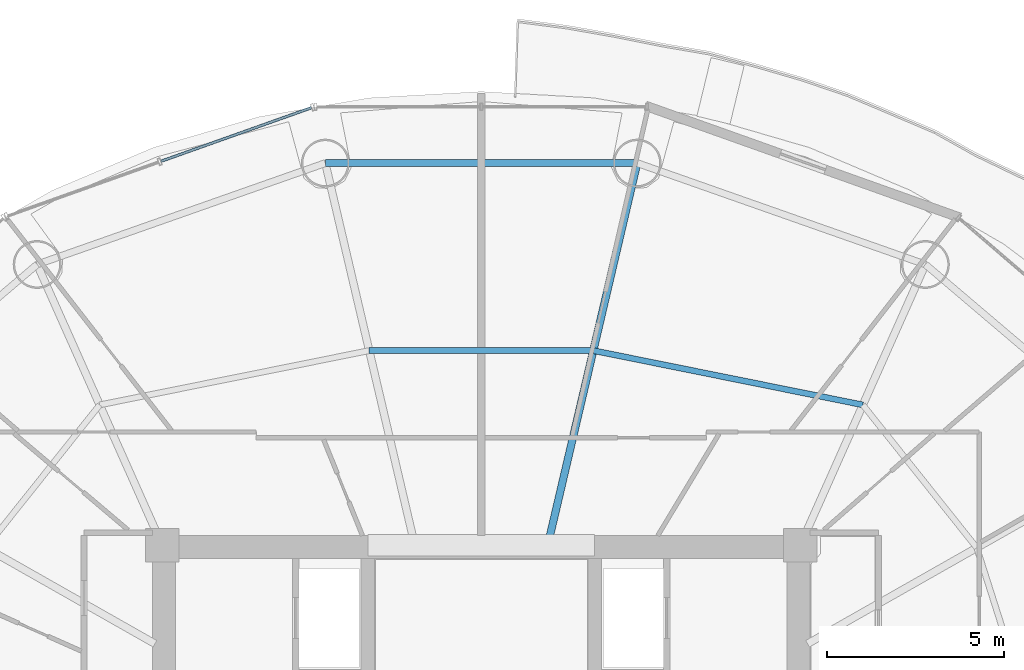
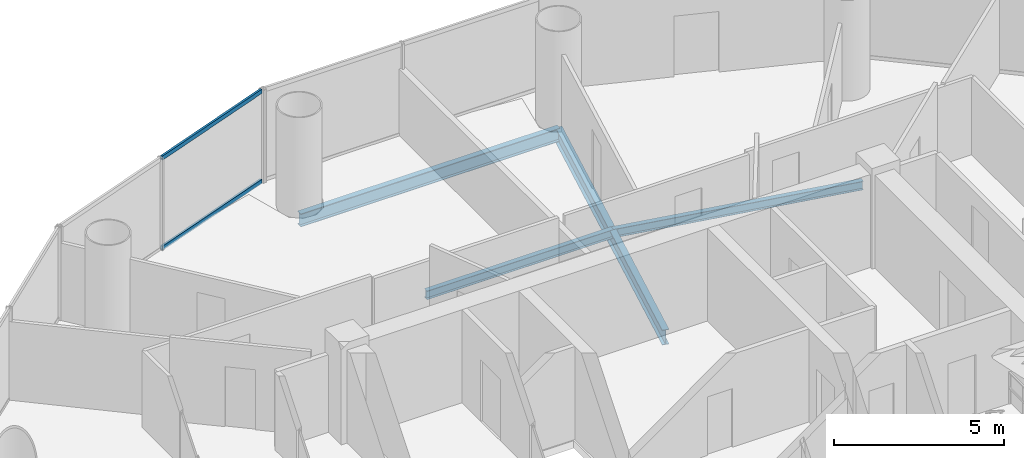
# One storey, part 16 of 27: 4 beams, 2 members, 1 element without a shape of its own.
"""IFC4 building model written with IfcOpenShell, lengths in metres."""

from ifc_helpers import new_model, si_unit, direction, frame, origin, origin_2d, place, context, subcontext, project, spatial, hollow_rectangle, i_section, extrude, source, transform, mapped, material, material_profile, profile_set, type_object, element, aggregate, save


model = new_model("IFC4")

# Units and contexts
model_context = context("Model", 3, precision=1e-05, world=origin(), true_north=direction((-0.2419218956, 0.970295726276)))
body_context = subcontext(model_context, "Body", "Model", "MODEL_VIEW")
ifc_project = project(units=[si_unit("LENGTHUNIT", "METRE"), si_unit("AREAUNIT", "SQUARE_METRE"), si_unit("VOLUMEUNIT", "CUBIC_METRE"), si_unit("PLANEANGLEUNIT", "RADIAN"), si_unit("MASSUNIT", "GRAM", prefix="KILO")], contexts=[model_context])

# Site, building, storey
site_placement = place(None, origin())
site = spatial("IfcSite", under=ifc_project, at=site_placement, CompositionType="ELEMENT")
building_placement = place(site_placement, origin())
building = spatial("IfcBuilding", under=site, at=building_placement, Name="Cobrevalo Terracotta Tower", CompositionType="ELEMENT")
storey_placement = place(building_placement, frame((0.0, 0.0, 157.0)))
storey = spatial("IfcBuildingStorey", under=building, at=storey_placement, Name="L41", CompositionType="ELEMENT", Elevation=157.0)

# Beams
ifc_material_1 = material(Name="Steel S355", Category="steel")
ifc_material_profile_1 = material_profile(ifc_material_1, i_section(OverallWidth=0.2109375, OverallDepth=0.5390625, WebThickness=0.01171875, FlangeThickness=0.018798828125, at=origin_2d()), Name="W 530x109")
ifc_profile_set_1 = profile_set([ifc_material_profile_1], Name="Steel S355")
beam_type_1 = type_object("IfcBeamType", Name="Structural Beam W 530x109 (Steel S355)", PredefinedType="BEAM", material=ifc_profile_set_1)
beam_1_placement = place(storey_placement, frame((42.399169921875, 45.58203125, -0.53955078125), z_axis=(-0.228040864186, -0.973651562039, 0.0), x_axis=(0.973651562039, -0.228040864186, 0.0)))
element("IfcBeam", 1, at=beam_1_placement, inside=storey, type_object=beam_type_1, Name="L41 radial floor girder 04", PredefinedType="BEAM", context=body_context, shape_type="SweptSolid", body=[
    extrude(i_section(OverallWidth=0.2109375, OverallDepth=0.5390625, WebThickness=0.01171875, FlangeThickness=0.018798828125, at=origin_2d()), origin(), (0.0, 0.0, 1.0), 10.86328125),
])
ifc_material_profile_2 = material_profile(ifc_material_1, i_section(OverallWidth=0.1650390625, OverallDepth=0.31005859375, WebThickness=0.005859375, FlangeThickness=0.009765625, at=origin_2d()), Name="W 310x38.7")
ifc_profile_set_2 = profile_set([ifc_material_profile_2], Name="Steel S355")
beam_type_2 = type_object("IfcBeamType", Name="Structural Joist W 310x38.7 (Steel S355)", PredefinedType="JOIST", material=ifc_profile_set_2)
beam_2_placement = place(storey_placement, frame((48.76416015625, 38.76123046875, -0.425048828125), z_axis=(-0.980293928329, 0.197544461026, 0.0), x_axis=(-0.197544461026, -0.980293928329, 0.0)))
element("IfcBeam", 2, at=beam_2_placement, inside=storey, type_object=beam_type_2, Name="L41 circumferential secondary floor joist 03", PredefinedType="JOIST", context=body_context, shape_type="SweptSolid", body=[
    extrude(i_section(OverallWidth=0.1650390625, OverallDepth=0.31005859375, WebThickness=0.005859375, FlangeThickness=0.009765625, at=origin_2d()), origin(), (0.0, 0.0, 1.0), 7.75634765625),
])
beam_3_placement = place(storey_placement, frame((41.16064453125, 40.29345703125, -0.425048828125), z_axis=(-1.0, 0.0, 0.0), x_axis=(0.0, -1.0, 0.0)))
element("IfcBeam", 3, at=beam_3_placement, inside=storey, type_object=beam_type_2, Name="L41 circumferential secondary floor joist 04", PredefinedType="JOIST", context=body_context, shape_type="SweptSolid", body=[
    extrude(i_section(OverallWidth=0.1650390625, OverallDepth=0.31005859375, WebThickness=0.005859375, FlangeThickness=0.009765625, at=origin_2d()), origin(), (0.0, 0.0, 1.0), 6.3212890625),
])
ifc_material_profile_3 = material_profile(ifc_material_1, i_section(OverallWidth=0.194091796875, OverallDepth=0.468994140625, WebThickness=0.011474609375, FlangeThickness=0.0205078125, at=origin_2d()), Name="W 460x106")
ifc_profile_set_3 = profile_set([ifc_material_profile_3], Name="Steel S355")
beam_type_3 = type_object("IfcBeamType", Name="Structural Spandrel W 460x106 (Steel S355)", PredefinedType="SPANDREL", material=ifc_profile_set_3)
beam_4_placement = place(storey_placement, frame((42.399169921875, 45.58203125, -0.50439453125), z_axis=(-1.0, 0.0, 0.0), x_axis=(0.0, -1.0, 0.0)))
element("IfcBeam", 4, at=beam_4_placement, inside=storey, type_object=beam_type_3, Name="L41 perimeter ring spandrel 04", PredefinedType="SPANDREL", context=body_context, shape_type="SweptSolid", body=[
    extrude(i_section(OverallWidth=0.194091796875, OverallDepth=0.468994140625, WebThickness=0.011474609375, FlangeThickness=0.0205078125, at=origin_2d()), origin(), (0.0, 0.0, 1.0), 8.79833984375),
])

# Curtain wall, members
ifc_material_2 = material(Name="Anodized aluminium", Category="aluminium")
curtain_wall_type = type_object("IfcCurtainWallType", Name="Mid-tower high-wind unitised curtain wall CW-U2", PredefinedType="NOTDEFINED", material=ifc_material_2)
curtain_wall_placement = place(storey_placement, origin())
curtain_wall = element("IfcCurtainWall", 5, at=curtain_wall_placement, inside=storey, type_object=curtain_wall_type, Name="L41 curtain wall CW-L41-S05", PredefinedType="NOTDEFINED")
ifc_material_profile_4 = material_profile(ifc_material_2, hollow_rectangle(XDim=0.074951171875, YDim=0.14990234375, WallThickness=0.00439453125, at=origin_2d()), Name="CWT 75x150")
ifc_profile_set_4 = profile_set([ifc_material_profile_4], Name="Anodized aluminium")
member_type = type_object("IfcMemberType", Name="Tower unitised aluminium transom 75x150", PredefinedType="USERDEFINED", material=ifc_profile_set_4)
shared_shape = source(origin(), body_context, "Body", "SweptSolid", [
    extrude(hollow_rectangle(XDim=0.074951171875, YDim=0.14990234375, WallThickness=0.00439453125, at=origin_2d()), origin(), (0.0, 0.0, 1.0), 4.50390625),
])
member_1_placement = place(storey_placement, frame((33.209228515625, 47.14404296875, 0.050048828125), z_axis=(-0.94210437316, -0.335319772863, 0.0), x_axis=(0.335319772863, -0.94210437316, 0.0)))
member_1 = element("IfcMember", 6, at=member_1_placement, type_object=member_type, Name="CW-L41-S05 transom B01-T1", ObjectType="TRANSOM", PredefinedType="USERDEFINED", context=body_context, shape_type="MappedRepresentation", body=[
    mapped(shared_shape, transform((0.0, 0.0, 0.0), scale=1.0)),
])
member_2_placement = place(storey_placement, frame((33.209228515625, 47.14404296875, 3.280029296875), z_axis=(-0.94210437316, -0.335319772863, 0.0), x_axis=(0.335319772863, -0.94210437316, 0.0)))
member_2 = element("IfcMember", 7, at=member_2_placement, type_object=member_type, Name="CW-L41-S05 transom B01-T2", ObjectType="TRANSOM", PredefinedType="USERDEFINED", context=body_context, shape_type="MappedRepresentation", body=[
    mapped(shared_shape, transform((0.0, 0.0, 0.0), scale=1.0)),
])
aggregate(curtain_wall, [member_1, member_2])

save(model, "model.ifc")
